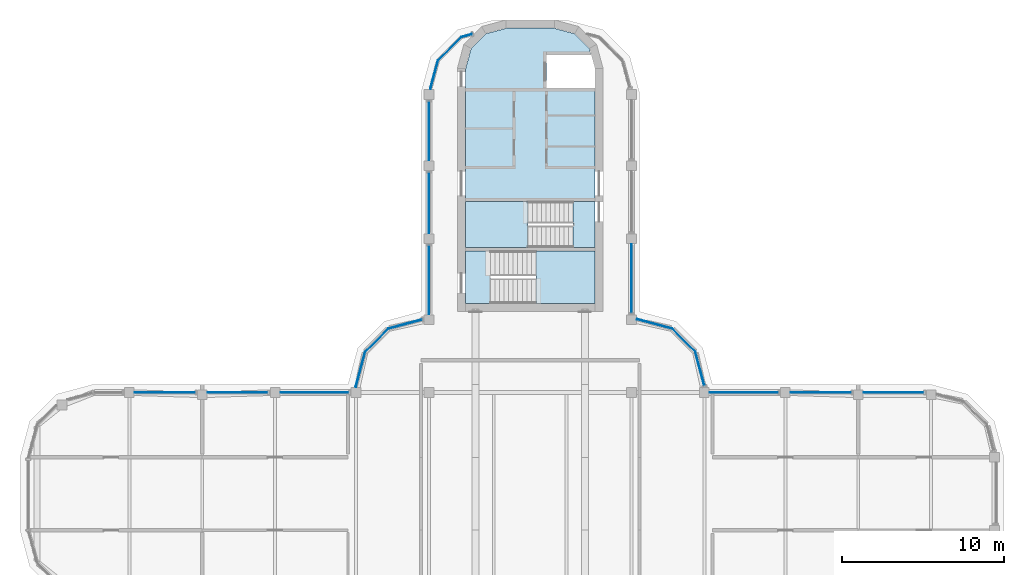
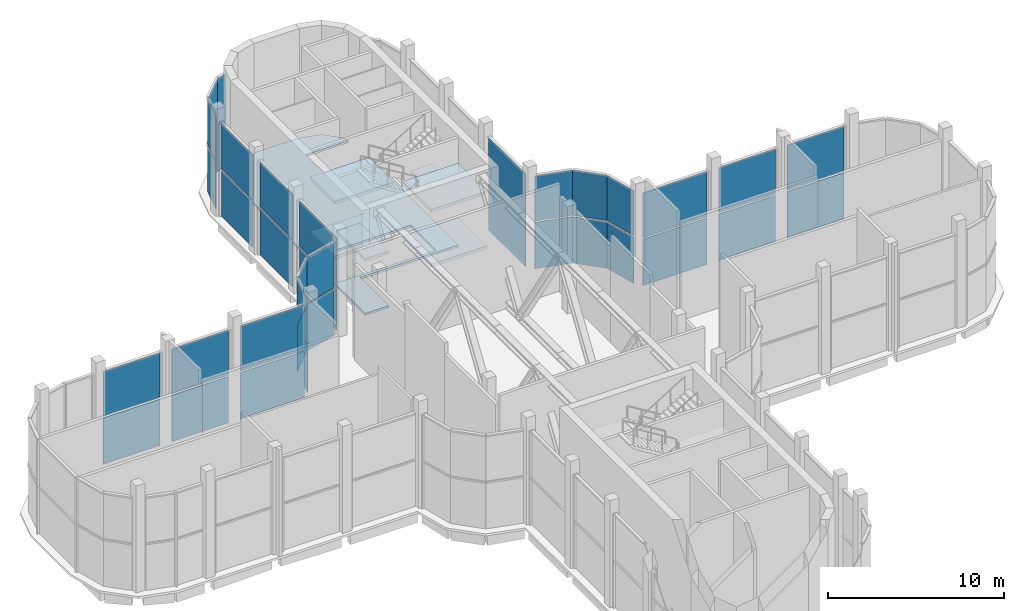
# One storey, part 9 of 15: 38 plates, 7 slabs, 15 elements without a shape of their own.
"""IFC4 building model written with IfcOpenShell, lengths in metres."""

from ifc_helpers import new_model, si_unit, direction, frame, origin, place, context, subcontext, project, spatial, polyline, outline, extrude, source, transform, mapped, material, layer, layer_set, type_object, element, aggregate, save


model = new_model("IFC4")

# Units and contexts
model_context = context("Model", 3, precision=1e-05, world=origin(), true_north=direction((0.0, 1.0)))
body_context = subcontext(model_context, "Body", "Model", "MODEL_VIEW")
ifc_project = project(units=[si_unit("LENGTHUNIT", "METRE"), si_unit("AREAUNIT", "SQUARE_METRE"), si_unit("VOLUMEUNIT", "CUBIC_METRE"), si_unit("PLANEANGLEUNIT", "RADIAN"), si_unit("MASSUNIT", "GRAM", prefix="KILO")], contexts=[model_context])

# Site, building, storey
site_placement = place(None, origin())
site = spatial("IfcSite", under=ifc_project, at=site_placement, CompositionType="ELEMENT")
building_placement = place(site_placement, origin())
building = spatial("IfcBuilding", under=site, at=building_placement, Name="Zarbagh Exchange Tower", CompositionType="ELEMENT")
storey_placement = place(building_placement, frame((0.0, 0.0, 284.0)))
storey = spatial("IfcBuildingStorey", under=building, at=storey_placement, Name="L70", CompositionType="ELEMENT", Elevation=284.0)

# Slab
ifc_material_1 = material(Name="Concrete C40/50", Category="concrete")
ifc_layer_1 = layer(ifc_material_1, 0.14990234375)
ifc_layer_set_1 = layer_set([ifc_layer_1], Name="Core floor slab 150 C40/50")
slab_type_1 = type_object("IfcSlabType", Name="Core floor slab 150 C40/50", PredefinedType="FLOOR", material=ifc_layer_set_1)
slab_1_placement = place(storey_placement, frame((0.0, 0.0, -0.14990234375)))
element("IfcSlab", 1, at=slab_1_placement, inside=storey, type_object=slab_type_1, Name="S17 core N", PredefinedType="FLOOR", context=body_context, shape_type="SweptSolid", body=[
    extrude(outline(polyline([(-4.0, 11.75), (-4.0, 15.199951171875), (2.64990234375, 15.199951171875), (2.64990234375, 18.050048828125), (-4.0, 18.050048828125), (-4.0, 26.18408203125), (-3.64990234375, 27.4912109375), (-2.7412109375, 28.39990234375), (-1.43408203125, 28.75), (1.43408203125, 28.75), (2.7412109375, 28.39990234375), (3.64990234375, 27.4912109375), (3.857666015625, 26.715087890625), (3.754638671875, 27.10009765625), (1.0, 27.10009765625), (1.0, 25.050048828125), (4.0, 25.050048828125), (4.0, 15.0), (-2.449951171875, 15.0), (-2.449951171875, 11.75), (-4.0, 11.75)])), origin(), (0.0, 0.0, 1.0), 0.14990234375),
])

# Stair, slabs
stair_type = type_object("IfcStairType", Name="Exit stair two-flight half-turn", PredefinedType="HALF_TURN_STAIR", material=ifc_material_1)
stair_1_placement = place(storey_placement, origin())
stair_1 = element("IfcStair", 2, at=stair_1_placement, inside=storey, type_object=stair_type, Name="exit stair ST1", PredefinedType="HALF_TURN_STAIR")
ifc_layer_2 = layer(ifc_material_1, 0.199951171875)
ifc_layer_set_2 = layer_set([ifc_layer_2], Name="Stair landing 200 mm")
slab_type_2 = type_object("IfcSlabType", Name="Stair landing 200 mm", PredefinedType="LANDING", material=ifc_layer_set_2)
slab_2_placement = place(storey_placement, frame((0.0, 0.0, 1.699951171875)))
slab_2 = element("IfcSlab", 3, at=slab_2_placement, type_object=slab_type_2, Name="ST1 landing 1", PredefinedType="LANDING", context=body_context, shape_type="SweptSolid", body=[
    extrude(outline(polyline([(-0.14990234375, 18.050048828125), (-4.0, 18.050048828125), (-4.0, 15.199951171875), (-0.14990234375, 15.199951171875), (-0.14990234375, 18.050048828125)])), origin(), (0.0, 0.0, 1.0), 0.199951171875),
])
slab_3_placement = place(storey_placement, frame((0.0, 0.0, 3.60009765625)))
slab_3 = element("IfcSlab", 4, at=slab_3_placement, type_object=slab_type_2, Name="ST1 landing 2", PredefinedType="LANDING", context=body_context, shape_type="SweptSolid", body=[
    extrude(outline(polyline([(4.0, 18.050048828125), (2.64990234375, 18.050048828125), (2.64990234375, 15.199951171875), (4.0, 15.199951171875), (4.0, 18.050048828125)])), origin(), (0.0, 0.0, 1.0), 0.199951171875),
])
slab_4_placement = place(storey_placement, frame((0.0, 0.0, 5.5)))
slab_4 = element("IfcSlab", 5, at=slab_4_placement, type_object=slab_type_2, Name="ST1 landing 3", PredefinedType="LANDING", context=body_context, shape_type="SweptSolid", body=[
    extrude(outline(polyline([(-0.14990234375, 18.050048828125), (-4.0, 18.050048828125), (-4.0, 15.199951171875), (-0.14990234375, 15.199951171875), (-0.14990234375, 18.050048828125)])), origin(), (0.0, 0.0, 1.0), 0.199951171875),
])
aggregate(stair_1, [slab_2, slab_3, slab_4])

stair_2_placement = place(storey_placement, origin())
stair_2 = element("IfcStair", 6, at=stair_2_placement, inside=storey, type_object=stair_type, Name="exit stair ST2", PredefinedType="HALF_TURN_STAIR")
slab_5_placement = place(storey_placement, frame((0.0, 0.0, 1.699951171875)))
slab_5 = element("IfcSlab", 7, at=slab_5_placement, type_object=slab_type_2, Name="ST2 landing 1", PredefinedType="LANDING", context=body_context, shape_type="SweptSolid", body=[
    extrude(outline(polyline([(0.35009765625, 11.75), (4.0, 11.75), (4.0, 15.0), (0.35009765625, 15.0), (0.35009765625, 11.75)])), origin(), (0.0, 0.0, 1.0), 0.199951171875),
])
slab_6_placement = place(storey_placement, frame((0.0, 0.0, 3.60009765625)))
slab_6 = element("IfcSlab", 8, at=slab_6_placement, type_object=slab_type_2, Name="ST2 landing 2", PredefinedType="LANDING", context=body_context, shape_type="SweptSolid", body=[
    extrude(outline(polyline([(-4.0, 11.75), (-2.449951171875, 11.75), (-2.449951171875, 15.0), (-4.0, 15.0), (-4.0, 11.75)])), origin(), (0.0, 0.0, 1.0), 0.199951171875),
])
slab_7_placement = place(storey_placement, frame((0.0, 0.0, 5.5)))
slab_7 = element("IfcSlab", 9, at=slab_7_placement, type_object=slab_type_2, Name="ST2 landing 3", PredefinedType="LANDING", context=body_context, shape_type="SweptSolid", body=[
    extrude(outline(polyline([(0.35009765625, 11.75), (4.0, 11.75), (4.0, 15.0), (0.35009765625, 15.0), (0.35009765625, 11.75)])), origin(), (0.0, 0.0, 1.0), 0.199951171875),
])
aggregate(stair_2, [slab_5, slab_6, slab_7])

# Curtain wall, plate
ifc_material_2 = material(Name="Anodised aluminium frame and glazing", Category="aluminium")
curtain_wall_type = type_object("IfcCurtainWallType", Name="CWE Damper-floor glazed wall", PredefinedType="NOTDEFINED", material=ifc_material_2)
curtain_wall_1_placement = place(storey_placement, origin())
curtain_wall_1 = element("IfcCurtainWall", 10, at=curtain_wall_1_placement, inside=storey, type_object=curtain_wall_type, Name="CWE18 curtain wall", PredefinedType="NOTDEFINED")
ifc_material_3 = material(Name="Low-e double glazed unit, 6+12+6 mm")
ifc_layer_3 = layer(ifc_material_3, 0.0400390625)
ifc_layer_set_3 = layer_set([ifc_layer_3], Name="PAE Glazing panel, Low-e double glazed unit, 6+12+6 mm")
plate_type = type_object("IfcPlateType", Name="PAE Glazing panel, Low-e double glazed unit, 6+12+6 mm", PredefinedType="CURTAIN_PANEL", material=ifc_layer_set_3)
shared_shape_1 = source(origin(), body_context, "Body", "SweptSolid", [
    extrude(outline(polyline([(0.0, -0.02001953125), (2.061279296875, -0.02001953125), (2.061279296875, 0.02001953125), (0.0, 0.02001953125), (0.0, -0.02001953125)])), origin(), (0.0, 0.0, 1.0), 3.22509765625),
])
placement = place(storey_placement, origin())
plate_1 = element("IfcPlate", 11, at=placement, type_object=plate_type, Name="CWE18 glazing panel 1.1", PredefinedType="CURTAIN_PANEL", context=body_context, shape_type="MappedRepresentation", body=[
    mapped(shared_shape_1, transform((10.19873046875, 8.7412109375, 0.0), x_axis=(-0.707106781187, 0.707106781187, 0.0), y_axis=(-0.707106781187, -0.707106781187, 0.0), z_axis=(0.0, 0.0, 1.0))),
])

curtain_wall_2_placement = place(storey_placement, origin())
curtain_wall_2 = element("IfcCurtainWall", 12, at=curtain_wall_2_placement, inside=storey, type_object=curtain_wall_type, Name="CWE25 curtain wall", PredefinedType="NOTDEFINED")
plate_2 = element("IfcPlate", 13, at=placement, type_object=plate_type, Name="CWE25 glazing panel 1.1", PredefinedType="CURTAIN_PANEL", context=body_context, shape_type="MappedRepresentation", body=[
    mapped(shared_shape_1, transform((-4.2412109375, 28.19873046875, 0.0), x_axis=(-0.707106781187, -0.707106781187, 0.0), y_axis=(0.707106781187, -0.707106781187, 0.0), z_axis=(0.0, 0.0, 1.0))),
])

curtain_wall_3_placement = place(storey_placement, origin())
curtain_wall_3 = element("IfcCurtainWall", 14, at=curtain_wall_3_placement, inside=storey, type_object=curtain_wall_type, Name="CWE29 curtain wall", PredefinedType="NOTDEFINED")
plate_3 = element("IfcPlate", 15, at=placement, type_object=plate_type, Name="CWE29 glazing panel 1.1", PredefinedType="CURTAIN_PANEL", context=body_context, shape_type="MappedRepresentation", body=[
    mapped(shared_shape_1, transform((-8.7412109375, 10.19873046875, 0.0), x_axis=(-0.707106781187, -0.707106781187, 0.0), y_axis=(0.707106781187, -0.707106781187, 0.0), z_axis=(0.0, 0.0, 1.0))),
])

# Plate
shared_shape_2 = source(origin(), body_context, "Body", "SweptSolid", [
    extrude(outline(polyline([(0.0, -0.02001953125), (2.061279296875, -0.02001953125), (2.061279296875, 0.02001953125), (0.0, 0.02001953125), (0.0, -0.02001953125)])), origin(), (0.0, 0.0, 1.0), 3.125),
])
plate_4 = element("IfcPlate", 16, at=placement, type_object=plate_type, Name="CWE18 glazing panel 1.1", PredefinedType="CURTAIN_PANEL", context=body_context, shape_type="MappedRepresentation", body=[
    mapped(shared_shape_2, transform((10.19873046875, 8.7412109375, 3.324951171875), x_axis=(-0.707106781187, 0.707106781187, 0.0), y_axis=(-0.707106781187, -0.707106781187, 0.0), z_axis=(0.0, 0.0, 1.0))),
])

aggregate(curtain_wall_1, [plate_1, plate_4])

plate_5 = element("IfcPlate", 17, at=placement, type_object=plate_type, Name="CWE25 glazing panel 1.1", PredefinedType="CURTAIN_PANEL", context=body_context, shape_type="MappedRepresentation", body=[
    mapped(shared_shape_2, transform((-4.2412109375, 28.19873046875, 3.324951171875), x_axis=(-0.707106781187, -0.707106781187, 0.0), y_axis=(0.707106781187, -0.707106781187, 0.0), z_axis=(0.0, 0.0, 1.0))),
])

aggregate(curtain_wall_2, [plate_2, plate_5])

plate_6 = element("IfcPlate", 18, at=placement, type_object=plate_type, Name="CWE29 glazing panel 1.1", PredefinedType="CURTAIN_PANEL", context=body_context, shape_type="MappedRepresentation", body=[
    mapped(shared_shape_2, transform((-8.7412109375, 10.19873046875, 3.324951171875), x_axis=(-0.707106781187, -0.707106781187, 0.0), y_axis=(0.707106781187, -0.707106781187, 0.0), z_axis=(0.0, 0.0, 1.0))),
])

aggregate(curtain_wall_3, [plate_3, plate_6])

# Curtain wall, plates
curtain_wall_4_placement = place(storey_placement, origin())
curtain_wall_4 = element("IfcCurtainWall", 19, at=curtain_wall_4_placement, inside=storey, type_object=curtain_wall_type, Name="CWE26 curtain wall", PredefinedType="NOTDEFINED")
shared_shape_3 = source(origin(), body_context, "Body", "SweptSolid", [
    extrude(outline(polyline([(0.0, -0.02001953125), (1.81298828125, -0.02001953125), (1.81298828125, 0.02001953125), (0.0, 0.02001953125), (0.0, -0.02001953125)])), origin(), (0.0, 0.0, 1.0), 3.22509765625),
])
plate_7 = element("IfcPlate", 20, at=placement, type_object=plate_type, Name="CWE26 glazing panel 1.1", PredefinedType="CURTAIN_PANEL", context=body_context, shape_type="MappedRepresentation", body=[
    mapped(shared_shape_3, transform((-5.69873046875, 26.7412109375, 0.0), x_axis=(-0.258824779902, -0.965924289636, 0.0), y_axis=(0.965924289636, -0.258824779902, 0.0), z_axis=(0.0, 0.0, 1.0))),
])
shared_shape_4 = source(origin(), body_context, "Body", "SweptSolid", [
    extrude(outline(polyline([(0.0, -0.02001953125), (1.81298828125, -0.02001953125), (1.81298828125, 0.02001953125), (0.0, 0.02001953125), (0.0, -0.02001953125)])), origin(), (0.0, 0.0, 1.0), 3.125),
])
plate_8 = element("IfcPlate", 21, at=placement, type_object=plate_type, Name="CWE26 glazing panel 1.1", PredefinedType="CURTAIN_PANEL", context=body_context, shape_type="MappedRepresentation", body=[
    mapped(shared_shape_4, transform((-5.69873046875, 26.7412109375, 3.324951171875), x_axis=(-0.258824779902, -0.965924289636, 0.0), y_axis=(0.965924289636, -0.258824779902, 0.0), z_axis=(0.0, 0.0, 1.0))),
])
aggregate(curtain_wall_4, [plate_7, plate_8])

curtain_wall_5_placement = place(storey_placement, origin())
curtain_wall_5 = element("IfcCurtainWall", 22, at=curtain_wall_5_placement, inside=storey, type_object=curtain_wall_type, Name="CWE27 curtain wall", PredefinedType="NOTDEFINED")
shared_shape_5 = source(origin(), body_context, "Body", "SweptSolid", [
    extrude(outline(polyline([(0.0, -0.02001953125), (3.6201171875, -0.02001953125), (3.6201171875, 0.02001953125), (0.0, 0.02001953125), (0.0, -0.02001953125)])), origin(), (0.0, 0.0, 1.0), 3.22509765625),
])
plate_9 = element("IfcPlate", 23, at=placement, type_object=plate_type, Name="CWE27 glazing panel 1.1", PredefinedType="CURTAIN_PANEL", context=body_context, shape_type="MappedRepresentation", body=[
    mapped(shared_shape_5, transform((-6.25, 24.2099609375, 0.0), x_axis=(0.0, -1.0, 0.0), y_axis=(1.0, 0.0, 0.0), z_axis=(0.0, 0.0, 1.0))),
])
shared_shape_6 = source(origin(), body_context, "Body", "SweptSolid", [
    extrude(outline(polyline([(0.0, -0.02001953125), (3.6201171875, -0.02001953125), (3.6201171875, 0.02001953125), (0.0, 0.02001953125), (0.0, -0.02001953125)])), origin(), (0.0, 0.0, 1.0), 3.125),
])
plate_10 = element("IfcPlate", 24, at=placement, type_object=plate_type, Name="CWE27 glazing panel 1.1", PredefinedType="CURTAIN_PANEL", context=body_context, shape_type="MappedRepresentation", body=[
    mapped(shared_shape_6, transform((-6.25, 24.2099609375, 3.324951171875), x_axis=(0.0, -1.0, 0.0), y_axis=(1.0, 0.0, 0.0), z_axis=(0.0, 0.0, 1.0))),
])

curtain_wall_6_placement = place(storey_placement, origin())
curtain_wall_6 = element("IfcCurtainWall", 25, at=curtain_wall_6_placement, inside=storey, type_object=curtain_wall_type, Name="CWE16 curtain wall", PredefinedType="NOTDEFINED")
shared_shape_7 = source(origin(), body_context, "Body", "SweptSolid", [
    extrude(outline(polyline([(0.0, -0.02001953125), (3.719970703125, -0.02001953125), (3.719970703125, 0.02001953125), (0.0, 0.02001953125), (0.0, -0.02001953125)])), origin(), (0.0, 0.0, 1.0), 3.22509765625),
])
plate_11 = element("IfcPlate", 26, at=placement, type_object=plate_type, Name="CWE16 glazing panel 1.1", PredefinedType="CURTAIN_PANEL", context=body_context, shape_type="MappedRepresentation", body=[
    mapped(shared_shape_7, transform((24.31005859375, 6.25, 0.0), x_axis=(-1.0, 0.0, 0.0), y_axis=(0.0, -1.0, 0.0), z_axis=(0.0, 0.0, 1.0))),
])
plate_12 = element("IfcPlate", 27, at=placement, type_object=plate_type, Name="CWE16 glazing panel 2.1", PredefinedType="CURTAIN_PANEL", context=body_context, shape_type="MappedRepresentation", body=[
    mapped(shared_shape_7, transform((19.81005859375, 6.25, 0.0), x_axis=(-1.0, 0.0, 0.0), y_axis=(0.0, -1.0, 0.0), z_axis=(0.0, 0.0, 1.0))),
])

# Plate
plate_13 = element("IfcPlate", 28, at=placement, type_object=plate_type, Name="CWE27 glazing panel 2.1", PredefinedType="CURTAIN_PANEL", context=body_context, shape_type="MappedRepresentation", body=[
    mapped(shared_shape_7, transform((-6.25, 19.81005859375, 0.0), x_axis=(0.0, -1.0, 0.0), y_axis=(1.0, 0.0, 0.0), z_axis=(0.0, 0.0, 1.0))),
])

# Curtain wall, plates
curtain_wall_7_placement = place(storey_placement, origin())
curtain_wall_7 = element("IfcCurtainWall", 29, at=curtain_wall_7_placement, inside=storey, type_object=curtain_wall_type, Name="CWE31 curtain wall", PredefinedType="NOTDEFINED")
plate_14 = element("IfcPlate", 30, at=placement, type_object=plate_type, Name="CWE31 glazing panel 2.1", PredefinedType="CURTAIN_PANEL", context=body_context, shape_type="MappedRepresentation", body=[
    mapped(shared_shape_7, transform((-16.18994140625, 6.25, 0.0), x_axis=(-1.0, 0.0, 0.0), y_axis=(0.0, -1.0, 0.0), z_axis=(0.0, 0.0, 1.0))),
])
plate_15 = element("IfcPlate", 31, at=placement, type_object=plate_type, Name="CWE31 glazing panel 3.1", PredefinedType="CURTAIN_PANEL", context=body_context, shape_type="MappedRepresentation", body=[
    mapped(shared_shape_7, transform((-20.68994140625, 6.25, 0.0), x_axis=(-1.0, 0.0, 0.0), y_axis=(0.0, -1.0, 0.0), z_axis=(0.0, 0.0, 1.0))),
])

# Plate
shared_shape_8 = source(origin(), body_context, "Body", "SweptSolid", [
    extrude(outline(polyline([(0.0, -0.02001953125), (3.719970703125, -0.02001953125), (3.719970703125, 0.02001953125), (0.0, 0.02001953125), (0.0, -0.02001953125)])), origin(), (0.0, 0.0, 1.0), 3.125),
])
plate_16 = element("IfcPlate", 32, at=placement, type_object=plate_type, Name="CWE16 glazing panel 1.1", PredefinedType="CURTAIN_PANEL", context=body_context, shape_type="MappedRepresentation", body=[
    mapped(shared_shape_8, transform((24.31005859375, 6.25, 3.324951171875), x_axis=(-1.0, 0.0, 0.0), y_axis=(0.0, -1.0, 0.0), z_axis=(0.0, 0.0, 1.0))),
])

plate_17 = element("IfcPlate", 33, at=placement, type_object=plate_type, Name="CWE16 glazing panel 2.1", PredefinedType="CURTAIN_PANEL", context=body_context, shape_type="MappedRepresentation", body=[
    mapped(shared_shape_8, transform((19.81005859375, 6.25, 3.324951171875), x_axis=(-1.0, 0.0, 0.0), y_axis=(0.0, -1.0, 0.0), z_axis=(0.0, 0.0, 1.0))),
])

plate_18 = element("IfcPlate", 34, at=placement, type_object=plate_type, Name="CWE27 glazing panel 2.1", PredefinedType="CURTAIN_PANEL", context=body_context, shape_type="MappedRepresentation", body=[
    mapped(shared_shape_8, transform((-6.25, 19.81005859375, 3.324951171875), x_axis=(0.0, -1.0, 0.0), y_axis=(1.0, 0.0, 0.0), z_axis=(0.0, 0.0, 1.0))),
])

plate_19 = element("IfcPlate", 35, at=placement, type_object=plate_type, Name="CWE31 glazing panel 2.1", PredefinedType="CURTAIN_PANEL", context=body_context, shape_type="MappedRepresentation", body=[
    mapped(shared_shape_8, transform((-16.18994140625, 6.25, 3.324951171875), x_axis=(-1.0, 0.0, 0.0), y_axis=(0.0, -1.0, 0.0), z_axis=(0.0, 0.0, 1.0))),
])

plate_20 = element("IfcPlate", 36, at=placement, type_object=plate_type, Name="CWE31 glazing panel 3.1", PredefinedType="CURTAIN_PANEL", context=body_context, shape_type="MappedRepresentation", body=[
    mapped(shared_shape_8, transform((-20.68994140625, 6.25, 3.324951171875), x_axis=(-1.0, 0.0, 0.0), y_axis=(0.0, -1.0, 0.0), z_axis=(0.0, 0.0, 1.0))),
])

shared_shape_9 = source(origin(), body_context, "Body", "SweptSolid", [
    extrude(outline(polyline([(0.0, -0.02001953125), (4.219970703125, -0.02001953125), (4.219970703125, 0.02001953125), (0.0, 0.02001953125), (0.0, -0.02001953125)])), origin(), (0.0, 0.0, 1.0), 3.22509765625),
])
plate_21 = element("IfcPlate", 37, at=placement, type_object=plate_type, Name="CWE16 glazing panel 3.1", PredefinedType="CURTAIN_PANEL", context=body_context, shape_type="MappedRepresentation", body=[
    mapped(shared_shape_9, transform((15.31005859375, 6.25, 0.0), x_axis=(-1.0, 0.0, 0.0), y_axis=(0.0, -1.0, 0.0), z_axis=(0.0, 0.0, 1.0))),
])

# Curtain wall, plate
curtain_wall_8_placement = place(storey_placement, origin())
curtain_wall_8 = element("IfcCurtainWall", 38, at=curtain_wall_8_placement, inside=storey, type_object=curtain_wall_type, Name="CWE20 curtain wall", PredefinedType="NOTDEFINED")
plate_22 = element("IfcPlate", 39, at=placement, type_object=plate_type, Name="CWE20 glazing panel 1.1", PredefinedType="CURTAIN_PANEL", context=body_context, shape_type="MappedRepresentation", body=[
    mapped(shared_shape_9, transform((6.25, 11.18994140625, 0.0), x_axis=(0.0, 1.0, 0.0), y_axis=(-1.0, 0.0, 0.0), z_axis=(0.0, 0.0, 1.0))),
])

# Plate
plate_23 = element("IfcPlate", 40, at=placement, type_object=plate_type, Name="CWE27 glazing panel 3.1", PredefinedType="CURTAIN_PANEL", context=body_context, shape_type="MappedRepresentation", body=[
    mapped(shared_shape_9, transform((-6.25, 15.31005859375, 0.0), x_axis=(0.0, -1.0, 0.0), y_axis=(1.0, 0.0, 0.0), z_axis=(0.0, 0.0, 1.0))),
])

plate_24 = element("IfcPlate", 41, at=placement, type_object=plate_type, Name="CWE31 glazing panel 1.1", PredefinedType="CURTAIN_PANEL", context=body_context, shape_type="MappedRepresentation", body=[
    mapped(shared_shape_9, transform((-11.18994140625, 6.25, 0.0), x_axis=(-1.0, 0.0, 0.0), y_axis=(0.0, -1.0, 0.0), z_axis=(0.0, 0.0, 1.0))),
])

shared_shape_10 = source(origin(), body_context, "Body", "SweptSolid", [
    extrude(outline(polyline([(0.0, -0.02001953125), (4.219970703125, -0.02001953125), (4.219970703125, 0.02001953125), (0.0, 0.02001953125), (0.0, -0.02001953125)])), origin(), (0.0, 0.0, 1.0), 3.125),
])
plate_25 = element("IfcPlate", 42, at=placement, type_object=plate_type, Name="CWE16 glazing panel 3.1", PredefinedType="CURTAIN_PANEL", context=body_context, shape_type="MappedRepresentation", body=[
    mapped(shared_shape_10, transform((15.31005859375, 6.25, 3.324951171875), x_axis=(-1.0, 0.0, 0.0), y_axis=(0.0, -1.0, 0.0), z_axis=(0.0, 0.0, 1.0))),
])

aggregate(curtain_wall_6, [plate_11, plate_16, plate_12, plate_17, plate_21, plate_25])

plate_26 = element("IfcPlate", 43, at=placement, type_object=plate_type, Name="CWE20 glazing panel 1.1", PredefinedType="CURTAIN_PANEL", context=body_context, shape_type="MappedRepresentation", body=[
    mapped(shared_shape_10, transform((6.25, 11.18994140625, 3.324951171875), x_axis=(0.0, 1.0, 0.0), y_axis=(-1.0, 0.0, 0.0), z_axis=(0.0, 0.0, 1.0))),
])

aggregate(curtain_wall_8, [plate_22, plate_26])

plate_27 = element("IfcPlate", 44, at=placement, type_object=plate_type, Name="CWE27 glazing panel 3.1", PredefinedType="CURTAIN_PANEL", context=body_context, shape_type="MappedRepresentation", body=[
    mapped(shared_shape_10, transform((-6.25, 15.31005859375, 3.324951171875), x_axis=(0.0, -1.0, 0.0), y_axis=(1.0, 0.0, 0.0), z_axis=(0.0, 0.0, 1.0))),
])

aggregate(curtain_wall_5, [plate_9, plate_10, plate_13, plate_18, plate_23, plate_27])

plate_28 = element("IfcPlate", 45, at=placement, type_object=plate_type, Name="CWE31 glazing panel 1.1", PredefinedType="CURTAIN_PANEL", context=body_context, shape_type="MappedRepresentation", body=[
    mapped(shared_shape_10, transform((-11.18994140625, 6.25, 3.324951171875), x_axis=(-1.0, 0.0, 0.0), y_axis=(0.0, -1.0, 0.0), z_axis=(0.0, 0.0, 1.0))),
])

aggregate(curtain_wall_7, [plate_24, plate_28, plate_14, plate_19, plate_15, plate_20])

# Curtain wall, plate
curtain_wall_9_placement = place(storey_placement, origin())
curtain_wall_9 = element("IfcCurtainWall", 46, at=curtain_wall_9_placement, inside=storey, type_object=curtain_wall_type, Name="CWE17 curtain wall", PredefinedType="NOTDEFINED")
shared_shape_11 = source(origin(), body_context, "Body", "SweptSolid", [
    extrude(outline(polyline([(0.0, -0.02001953125), (2.127197265625, -0.02001953125), (2.127197265625, 0.02001953125), (0.0, 0.02001953125), (0.0, -0.02001953125)])), origin(), (0.0, 0.0, 1.0), 3.22509765625),
])
plate_29 = element("IfcPlate", 47, at=placement, type_object=plate_type, Name="CWE17 glazing panel 1.1", PredefinedType="CURTAIN_PANEL", context=body_context, shape_type="MappedRepresentation", body=[
    mapped(shared_shape_11, transform((10.749267578125, 6.6865234375, 0.0), x_axis=(-0.258824779902, 0.965924289636, 0.0), y_axis=(-0.965924289636, -0.258824779902, 0.0), z_axis=(0.0, 0.0, 1.0))),
])

curtain_wall_10_placement = place(storey_placement, origin())
curtain_wall_10 = element("IfcCurtainWall", 48, at=curtain_wall_10_placement, inside=storey, type_object=curtain_wall_type, Name="CWE28 curtain wall", PredefinedType="NOTDEFINED")
plate_30 = element("IfcPlate", 49, at=placement, type_object=plate_type, Name="CWE28 glazing panel 1.1", PredefinedType="CURTAIN_PANEL", context=body_context, shape_type="MappedRepresentation", body=[
    mapped(shared_shape_11, transform((-6.6865234375, 10.749267578125, 0.0), x_axis=(-0.965924289636, -0.258824779902, 0.0), y_axis=(0.258824779902, -0.965924289636, 0.0), z_axis=(0.0, 0.0, 1.0))),
])

# Plate
shared_shape_12 = source(origin(), body_context, "Body", "SweptSolid", [
    extrude(outline(polyline([(0.0, -0.02001953125), (2.127197265625, -0.02001953125), (2.127197265625, 0.02001953125), (0.0, 0.02001953125), (0.0, -0.02001953125)])), origin(), (0.0, 0.0, 1.0), 3.125),
])
plate_31 = element("IfcPlate", 50, at=placement, type_object=plate_type, Name="CWE17 glazing panel 1.1", PredefinedType="CURTAIN_PANEL", context=body_context, shape_type="MappedRepresentation", body=[
    mapped(shared_shape_12, transform((10.749267578125, 6.6865234375, 3.324951171875), x_axis=(-0.258824779902, 0.965924289636, 0.0), y_axis=(-0.965924289636, -0.258824779902, 0.0), z_axis=(0.0, 0.0, 1.0))),
])

aggregate(curtain_wall_9, [plate_29, plate_31])

plate_32 = element("IfcPlate", 51, at=placement, type_object=plate_type, Name="CWE28 glazing panel 1.1", PredefinedType="CURTAIN_PANEL", context=body_context, shape_type="MappedRepresentation", body=[
    mapped(shared_shape_12, transform((-6.6865234375, 10.749267578125, 3.324951171875), x_axis=(-0.965924289636, -0.258824779902, 0.0), y_axis=(0.258824779902, -0.965924289636, 0.0), z_axis=(0.0, 0.0, 1.0))),
])

aggregate(curtain_wall_10, [plate_30, plate_32])

# Curtain wall, plate
curtain_wall_11_placement = place(storey_placement, origin())
curtain_wall_11 = element("IfcCurtainWall", 52, at=curtain_wall_11_placement, inside=storey, type_object=curtain_wall_type, Name="CWE19 curtain wall", PredefinedType="NOTDEFINED")
shared_shape_13 = source(origin(), body_context, "Body", "SweptSolid", [
    extrude(outline(polyline([(0.0, -0.02001953125), (2.22705078125, -0.02001953125), (2.22705078125, 0.02001953125), (0.0, 0.02001953125), (0.0, -0.02001953125)])), origin(), (0.0, 0.0, 1.0), 3.22509765625),
])
plate_33 = element("IfcPlate", 53, at=placement, type_object=plate_type, Name="CWE19 glazing panel 1.1", PredefinedType="CURTAIN_PANEL", context=body_context, shape_type="MappedRepresentation", body=[
    mapped(shared_shape_13, transform((8.7412109375, 10.19873046875, 0.0), x_axis=(-0.965924289636, 0.258824779902, 0.0), y_axis=(-0.258824779902, -0.965924289636, 0.0), z_axis=(0.0, 0.0, 1.0))),
])

curtain_wall_12_placement = place(storey_placement, origin())
curtain_wall_12 = element("IfcCurtainWall", 54, at=curtain_wall_12_placement, inside=storey, type_object=curtain_wall_type, Name="CWE30 curtain wall", PredefinedType="NOTDEFINED")
plate_34 = element("IfcPlate", 55, at=placement, type_object=plate_type, Name="CWE30 glazing panel 1.1", PredefinedType="CURTAIN_PANEL", context=body_context, shape_type="MappedRepresentation", body=[
    mapped(shared_shape_13, transform((-10.19873046875, 8.7412109375, 0.0), x_axis=(-0.258824779902, -0.965924289636, 0.0), y_axis=(0.965924289636, -0.258824779902, 0.0), z_axis=(0.0, 0.0, 1.0))),
])

# Plate
shared_shape_14 = source(origin(), body_context, "Body", "SweptSolid", [
    extrude(outline(polyline([(0.0, -0.02001953125), (2.22705078125, -0.02001953125), (2.22705078125, 0.02001953125), (0.0, 0.02001953125), (0.0, -0.02001953125)])), origin(), (0.0, 0.0, 1.0), 3.125),
])
plate_35 = element("IfcPlate", 56, at=placement, type_object=plate_type, Name="CWE19 glazing panel 1.1", PredefinedType="CURTAIN_PANEL", context=body_context, shape_type="MappedRepresentation", body=[
    mapped(shared_shape_14, transform((8.7412109375, 10.19873046875, 3.324951171875), x_axis=(-0.965924289636, 0.258824779902, 0.0), y_axis=(-0.258824779902, -0.965924289636, 0.0), z_axis=(0.0, 0.0, 1.0))),
])

aggregate(curtain_wall_11, [plate_33, plate_35])

plate_36 = element("IfcPlate", 57, at=placement, type_object=plate_type, Name="CWE30 glazing panel 1.1", PredefinedType="CURTAIN_PANEL", context=body_context, shape_type="MappedRepresentation", body=[
    mapped(shared_shape_14, transform((-10.19873046875, 8.7412109375, 3.324951171875), x_axis=(-0.258824779902, -0.965924289636, 0.0), y_axis=(0.965924289636, -0.258824779902, 0.0), z_axis=(0.0, 0.0, 1.0))),
])

aggregate(curtain_wall_12, [plate_34, plate_36])

# Curtain wall, plates
curtain_wall_13_placement = place(storey_placement, origin())
curtain_wall_13 = element("IfcCurtainWall", 58, at=curtain_wall_13_placement, inside=storey, type_object=curtain_wall_type, Name="CWE24 curtain wall", PredefinedType="NOTDEFINED")
shared_shape_15 = source(origin(), body_context, "Body", "SweptSolid", [
    extrude(outline(polyline([(0.0, -0.02001953125), (0.656982421875, -0.02001953125), (0.656982421875, 0.02001953125), (0.0, 0.02001953125), (0.0, -0.02001953125)])), origin(), (0.0, 0.0, 1.0), 3.22509765625),
])
plate_37 = element("IfcPlate", 59, at=placement, type_object=plate_type, Name="CWE24 glazing panel 1.1", PredefinedType="CURTAIN_PANEL", context=body_context, shape_type="MappedRepresentation", body=[
    mapped(shared_shape_15, transform((-3.6064453125, 28.368896484375, 0.0), x_axis=(-0.965924289636, -0.258824779902, 0.0), y_axis=(0.258824779902, -0.965924289636, 0.0), z_axis=(0.0, 0.0, 1.0))),
])
shared_shape_16 = source(origin(), body_context, "Body", "SweptSolid", [
    extrude(outline(polyline([(0.0, -0.02001953125), (0.656982421875, -0.02001953125), (0.656982421875, 0.02001953125), (0.0, 0.02001953125), (0.0, -0.02001953125)])), origin(), (0.0, 0.0, 1.0), 3.125),
])
plate_38 = element("IfcPlate", 60, at=placement, type_object=plate_type, Name="CWE24 glazing panel 1.1", PredefinedType="CURTAIN_PANEL", context=body_context, shape_type="MappedRepresentation", body=[
    mapped(shared_shape_16, transform((-3.6064453125, 28.368896484375, 3.324951171875), x_axis=(-0.965924289636, -0.258824779902, 0.0), y_axis=(0.258824779902, -0.965924289636, 0.0), z_axis=(0.0, 0.0, 1.0))),
])
aggregate(curtain_wall_13, [plate_37, plate_38])

save(model, "model.ifc")
